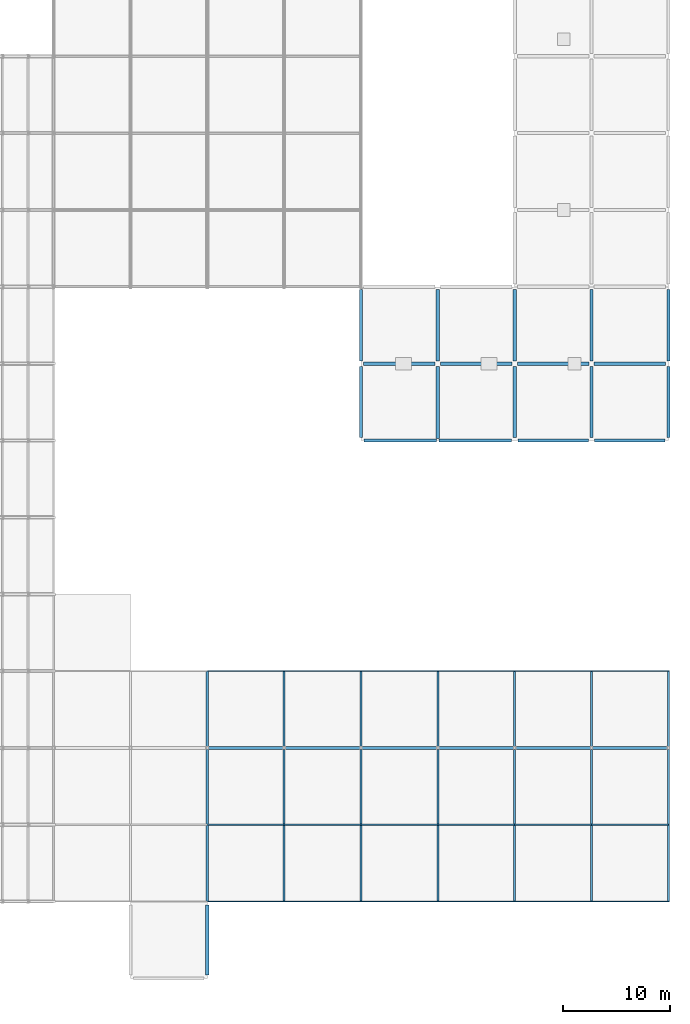
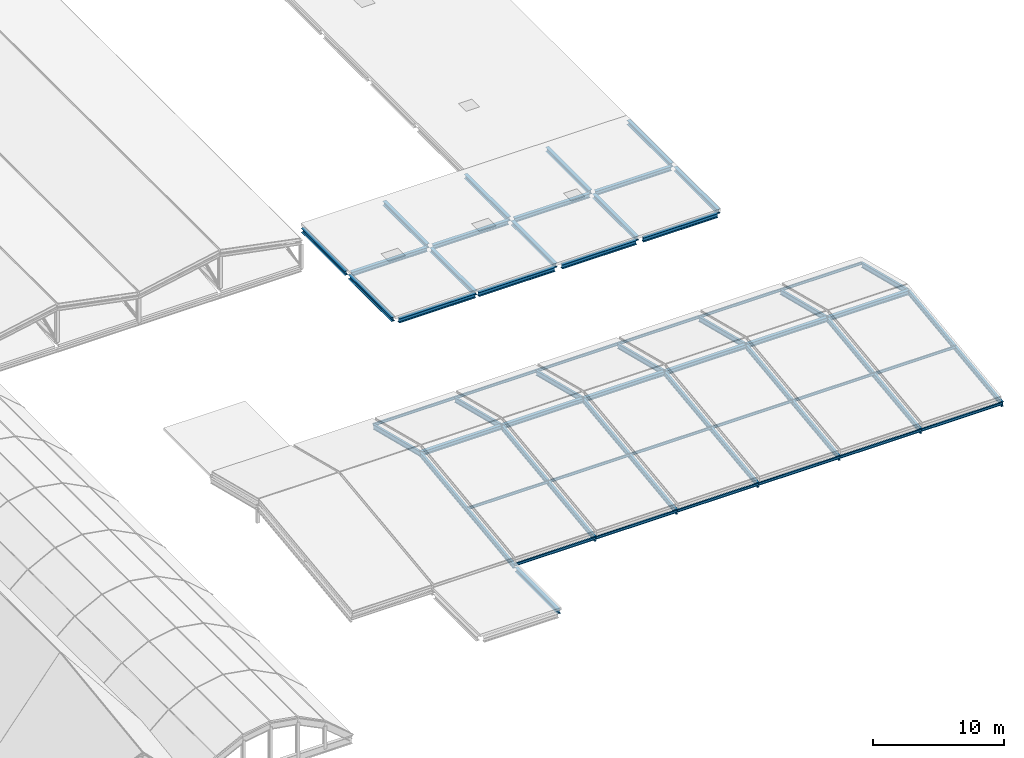
# One storey, part 37 of 60: 32 members, 25 beams.
"""IFC4 building model written with IfcOpenShell, lengths in metres."""

from ifc_helpers import new_model, si_unit, direction, frame, origin, origin_2d, place, context, subcontext, project, spatial, i_section, extrude, material, material_profile, profile_set, type_object, element, save


model = new_model("IFC4")

# Units and contexts
model_context = context("Model", 3, precision=1e-05, world=origin(), true_north=direction((0.0, 1.0)))
body_context = subcontext(model_context, "Body", "Model", "MODEL_VIEW")
ifc_project = project(units=[si_unit("LENGTHUNIT", "METRE"), si_unit("AREAUNIT", "SQUARE_METRE"), si_unit("VOLUMEUNIT", "CUBIC_METRE"), si_unit("PLANEANGLEUNIT", "RADIAN"), si_unit("MASSUNIT", "GRAM", prefix="KILO")], contexts=[model_context])

# Site, building, storey
site_placement = place(None, origin())
site = spatial("IfcSite", under=ifc_project, at=site_placement, CompositionType="ELEMENT")
building_placement = place(site_placement, origin())
building = spatial("IfcBuilding", under=site, at=building_placement, Name="Vesperath Aquatics Centre", CompositionType="ELEMENT")
storey_placement = place(building_placement, frame((0.0, 0.0, 27.60009765625)))
storey = spatial("IfcBuildingStorey", under=building, at=storey_placement, Name="RF", CompositionType="ELEMENT", Elevation=27.60009765625)

# Beams
ifc_material_1 = material(Name="Steel Q355C", Category="steel")
ifc_material_profile_1 = material_profile(ifc_material_1, i_section(OverallWidth=0.300048828125, OverallDepth=0.389892578125, WebThickness=0.010009765625, FlangeThickness=0.01611328125, FilletRadius=0.02197265625, at=origin_2d()), Name="HM 390x300x10x16")
ifc_profile_set_1 = profile_set([ifc_material_profile_1], Name="Steel Q355C")
beam_type_1 = type_object("IfcBeamType", Name="BM-RB01", PredefinedType="BEAM", material=ifc_profile_set_1)
beam_1_placement = place(storey_placement, frame((144.300048828125, 50.39990234375, -8.755126953125), z_axis=(1.0, 0.0, 0.0), x_axis=(0.0, 1.0, 0.0)))
element("IfcBeam", 1, at=beam_1_placement, inside=storey, type_object=beam_type_1, Name="Flat Roof Girder B11 RF H 21-22", PredefinedType="BEAM", context=body_context, shape_type="SweptSolid", body=[
    extrude(i_section(OverallWidth=0.300048828125, OverallDepth=0.389892578125, WebThickness=0.010009765625, FlangeThickness=0.01611328125, FilletRadius=0.02197265625, at=origin_2d()), origin(), (0.0, 0.0, 1.0), 6.77490234375),
])
beam_2_placement = place(storey_placement, frame((144.25, 57.60009765625, -8.755126953125), z_axis=(1.0, 0.0, 0.0), x_axis=(0.0, 1.0, 0.0)))
element("IfcBeam", 2, at=beam_2_placement, inside=storey, type_object=beam_type_1, Name="Flat Roof Girder B11 RF J 21-22", PredefinedType="BEAM", context=body_context, shape_type="SweptSolid", body=[
    extrude(i_section(OverallWidth=0.300048828125, OverallDepth=0.389892578125, WebThickness=0.010009765625, FlangeThickness=0.01611328125, FilletRadius=0.02197265625, at=origin_2d()), origin(), (0.0, 0.0, 1.0), 6.699951171875),
])
beam_3_placement = place(storey_placement, frame((151.324951171875, 50.39990234375, -8.755126953125), z_axis=(1.0, 0.0, 0.0), x_axis=(0.0, 1.0, 0.0)))
element("IfcBeam", 3, at=beam_3_placement, inside=storey, type_object=beam_type_1, Name="Flat Roof Girder B11 RF H 22-23", PredefinedType="BEAM", context=body_context, shape_type="SweptSolid", body=[
    extrude(i_section(OverallWidth=0.300048828125, OverallDepth=0.389892578125, WebThickness=0.010009765625, FlangeThickness=0.01611328125, FilletRadius=0.02197265625, at=origin_2d()), origin(), (0.0, 0.0, 1.0), 6.775146484375),
])
beam_4_placement = place(storey_placement, frame((151.449951171875, 57.60009765625, -8.755126953125), z_axis=(1.0, 0.0, 0.0), x_axis=(0.0, 1.0, 0.0)))
element("IfcBeam", 4, at=beam_4_placement, inside=storey, type_object=beam_type_1, Name="Flat Roof Girder B11 RF J 22-23", PredefinedType="BEAM", context=body_context, shape_type="SweptSolid", body=[
    extrude(i_section(OverallWidth=0.300048828125, OverallDepth=0.389892578125, WebThickness=0.010009765625, FlangeThickness=0.01611328125, FilletRadius=0.02197265625, at=origin_2d()), origin(), (0.0, 0.0, 1.0), 6.699951171875),
])
beam_5_placement = place(storey_placement, frame((158.699951171875, 50.39990234375, -8.755126953125), z_axis=(1.0, 0.0, 0.0), x_axis=(0.0, 1.0, 0.0)))
element("IfcBeam", 5, at=beam_5_placement, inside=storey, type_object=beam_type_1, Name="Flat Roof Girder B11 RF H 23-24", PredefinedType="BEAM", context=body_context, shape_type="SweptSolid", body=[
    extrude(i_section(OverallWidth=0.300048828125, OverallDepth=0.389892578125, WebThickness=0.010009765625, FlangeThickness=0.01611328125, FilletRadius=0.02197265625, at=origin_2d()), origin(), (0.0, 0.0, 1.0), 6.60009765625),
])
beam_6_placement = place(storey_placement, frame((158.64990234375, 57.60009765625, -8.755126953125), z_axis=(1.0, 0.0, 0.0), x_axis=(0.0, 1.0, 0.0)))
element("IfcBeam", 6, at=beam_6_placement, inside=storey, type_object=beam_type_1, Name="Flat Roof Girder B11 RF J 23-24", PredefinedType="BEAM", context=body_context, shape_type="SweptSolid", body=[
    extrude(i_section(OverallWidth=0.300048828125, OverallDepth=0.389892578125, WebThickness=0.010009765625, FlangeThickness=0.01611328125, FilletRadius=0.02197265625, at=origin_2d()), origin(), (0.0, 0.0, 1.0), 6.7001953125),
])
beam_7_placement = place(storey_placement, frame((165.89990234375, 50.39990234375, -8.755126953125), z_axis=(1.0, 0.0, 0.0), x_axis=(0.0, 1.0, 0.0)))
element("IfcBeam", 7, at=beam_7_placement, inside=storey, type_object=beam_type_1, Name="Flat Roof Girder B11 RF H 24-25", PredefinedType="BEAM", context=body_context, shape_type="SweptSolid", body=[
    extrude(i_section(OverallWidth=0.300048828125, OverallDepth=0.389892578125, WebThickness=0.010009765625, FlangeThickness=0.01611328125, FilletRadius=0.02197265625, at=origin_2d()), origin(), (0.0, 0.0, 1.0), 6.60009765625),
])
beam_8_placement = place(storey_placement, frame((165.85009765625, 57.60009765625, -8.755126953125), z_axis=(1.0, 0.0, 0.0), x_axis=(0.0, 1.0, 0.0)))
element("IfcBeam", 8, at=beam_8_placement, inside=storey, type_object=beam_type_1, Name="Flat Roof Girder B11 RF J 24-25", PredefinedType="BEAM", context=body_context, shape_type="SweptSolid", body=[
    extrude(i_section(OverallWidth=0.300048828125, OverallDepth=0.389892578125, WebThickness=0.010009765625, FlangeThickness=0.01611328125, FilletRadius=0.02197265625, at=origin_2d()), origin(), (0.0, 0.0, 1.0), 6.699951171875),
])
beam_9_placement = place(storey_placement, frame((144.0, 50.699951171875, -8.755126953125), z_axis=(0.0, 1.0, 0.0), x_axis=(-1.0, 0.0, 0.0)))
element("IfcBeam", 9, at=beam_9_placement, inside=storey, type_object=beam_type_1, Name="Flat Roof Girder B11 RF 21 H-J", PredefinedType="BEAM", context=body_context, shape_type="SweptSolid", body=[
    extrude(i_section(OverallWidth=0.300048828125, OverallDepth=0.389892578125, WebThickness=0.010009765625, FlangeThickness=0.01611328125, FilletRadius=0.02197265625, at=origin_2d()), origin(), (0.0, 0.0, 1.0), 6.650146484375),
])
beam_10_placement = place(storey_placement, frame((144.0, 57.85009765625, -8.755126953125), z_axis=(0.0, 1.0, 0.0), x_axis=(-1.0, 0.0, 0.0)))
element("IfcBeam", 10, at=beam_10_placement, inside=storey, type_object=beam_type_1, Name="Flat Roof Girder B11 RF 21 J-K", PredefinedType="BEAM", context=body_context, shape_type="SweptSolid", body=[
    extrude(i_section(OverallWidth=0.300048828125, OverallDepth=0.389892578125, WebThickness=0.010009765625, FlangeThickness=0.01611328125, FilletRadius=0.02197265625, at=origin_2d()), origin(), (0.0, 0.0, 1.0), 6.699951171875),
])
beam_11_placement = place(storey_placement, frame((151.199951171875, 50.574951171875, -8.755126953125), z_axis=(0.0, 1.0, 0.0), x_axis=(-1.0, 0.0, 0.0)))
element("IfcBeam", 11, at=beam_11_placement, inside=storey, type_object=beam_type_1, Name="Flat Roof Girder B11 RF 22 H-J", PredefinedType="BEAM", context=body_context, shape_type="SweptSolid", body=[
    extrude(i_section(OverallWidth=0.300048828125, OverallDepth=0.389892578125, WebThickness=0.010009765625, FlangeThickness=0.01611328125, FilletRadius=0.02197265625, at=origin_2d()), origin(), (0.0, 0.0, 1.0), 6.775146484375),
])
beam_12_placement = place(storey_placement, frame((151.199951171875, 57.85009765625, -8.755126953125), z_axis=(0.0, 1.0, 0.0), x_axis=(-1.0, 0.0, 0.0)))
element("IfcBeam", 12, at=beam_12_placement, inside=storey, type_object=beam_type_1, Name="Flat Roof Girder B11 RF 22 J-K", PredefinedType="BEAM", context=body_context, shape_type="SweptSolid", body=[
    extrude(i_section(OverallWidth=0.300048828125, OverallDepth=0.389892578125, WebThickness=0.010009765625, FlangeThickness=0.01611328125, FilletRadius=0.02197265625, at=origin_2d()), origin(), (0.0, 0.0, 1.0), 6.699951171875),
])
beam_13_placement = place(storey_placement, frame((158.39990234375, 50.699951171875, -8.755126953125), z_axis=(0.0, 1.0, 0.0), x_axis=(-1.0, 0.0, 0.0)))
element("IfcBeam", 13, at=beam_13_placement, inside=storey, type_object=beam_type_1, Name="Flat Roof Girder B11 RF 23 H-J", PredefinedType="BEAM", context=body_context, shape_type="SweptSolid", body=[
    extrude(i_section(OverallWidth=0.300048828125, OverallDepth=0.389892578125, WebThickness=0.010009765625, FlangeThickness=0.01611328125, FilletRadius=0.02197265625, at=origin_2d()), origin(), (0.0, 0.0, 1.0), 6.650146484375),
])
beam_14_placement = place(storey_placement, frame((158.39990234375, 57.85009765625, -8.755126953125), z_axis=(0.0, 1.0, 0.0), x_axis=(-1.0, 0.0, 0.0)))
element("IfcBeam", 14, at=beam_14_placement, inside=storey, type_object=beam_type_1, Name="Flat Roof Girder B11 RF 23 J-K", PredefinedType="BEAM", context=body_context, shape_type="SweptSolid", body=[
    extrude(i_section(OverallWidth=0.300048828125, OverallDepth=0.389892578125, WebThickness=0.010009765625, FlangeThickness=0.01611328125, FilletRadius=0.02197265625, at=origin_2d()), origin(), (0.0, 0.0, 1.0), 6.699951171875),
])
beam_15_placement = place(storey_placement, frame((165.60009765625, 50.699951171875, -8.755126953125), z_axis=(0.0, 1.0, 0.0), x_axis=(-1.0, 0.0, 0.0)))
element("IfcBeam", 15, at=beam_15_placement, inside=storey, type_object=beam_type_1, Name="Flat Roof Girder B11 RF 24 H-J", PredefinedType="BEAM", context=body_context, shape_type="SweptSolid", body=[
    extrude(i_section(OverallWidth=0.300048828125, OverallDepth=0.389892578125, WebThickness=0.010009765625, FlangeThickness=0.01611328125, FilletRadius=0.02197265625, at=origin_2d()), origin(), (0.0, 0.0, 1.0), 6.650146484375),
])
beam_16_placement = place(storey_placement, frame((165.60009765625, 57.85009765625, -8.755126953125), z_axis=(0.0, 1.0, 0.0), x_axis=(-1.0, 0.0, 0.0)))
element("IfcBeam", 16, at=beam_16_placement, inside=storey, type_object=beam_type_1, Name="Flat Roof Girder B11 RF 24 J-K", PredefinedType="BEAM", context=body_context, shape_type="SweptSolid", body=[
    extrude(i_section(OverallWidth=0.300048828125, OverallDepth=0.389892578125, WebThickness=0.010009765625, FlangeThickness=0.01611328125, FilletRadius=0.02197265625, at=origin_2d()), origin(), (0.0, 0.0, 1.0), 6.699951171875),
])
beam_17_placement = place(storey_placement, frame((172.800048828125, 50.699951171875, -8.755126953125), z_axis=(0.0, 1.0, 0.0), x_axis=(-1.0, 0.0, 0.0)))
element("IfcBeam", 17, at=beam_17_placement, inside=storey, type_object=beam_type_1, Name="Flat Roof Girder B11 RF 25 H-J", PredefinedType="BEAM", context=body_context, shape_type="SweptSolid", body=[
    extrude(i_section(OverallWidth=0.300048828125, OverallDepth=0.389892578125, WebThickness=0.010009765625, FlangeThickness=0.01611328125, FilletRadius=0.02197265625, at=origin_2d()), origin(), (0.0, 0.0, 1.0), 6.650146484375),
])
beam_18_placement = place(storey_placement, frame((172.800048828125, 57.85009765625, -8.755126953125), z_axis=(0.0, 1.0, 0.0), x_axis=(-1.0, 0.0, 0.0)))
element("IfcBeam", 18, at=beam_18_placement, inside=storey, type_object=beam_type_1, Name="Flat Roof Girder B11 RF 25 J-K", PredefinedType="BEAM", context=body_context, shape_type="SweptSolid", body=[
    extrude(i_section(OverallWidth=0.300048828125, OverallDepth=0.389892578125, WebThickness=0.010009765625, FlangeThickness=0.01611328125, FilletRadius=0.02197265625, at=origin_2d()), origin(), (0.0, 0.0, 1.0), 6.699951171875),
])
ifc_material_profile_2 = material_profile(ifc_material_1, i_section(OverallWidth=0.300048828125, OverallDepth=0.389892578125, WebThickness=0.010009765625, FlangeThickness=0.01611328125, FilletRadius=0.02197265625, at=origin_2d()), Name="HM 390x300x10x16")
ifc_profile_set_2 = profile_set([ifc_material_profile_2], Name="Steel Q355C")
beam_type_2 = type_object("IfcBeamType", Name="BM-RB09", PredefinedType="BEAM", material=ifc_profile_set_2)
beam_19_placement = place(storey_placement, frame((129.60009765625, 0.300048828125, -0.5), z_axis=(0.0, 1.0, 0.0), x_axis=(-1.0, 0.0, 0.0)))
element("IfcBeam", 19, at=beam_19_placement, inside=storey, type_object=beam_type_2, Name="Core C5 Headhouse Roof Beam B11-E", PredefinedType="BEAM", context=body_context, shape_type="SweptSolid", body=[
    extrude(i_section(OverallWidth=0.300048828125, OverallDepth=0.389892578125, WebThickness=0.010009765625, FlangeThickness=0.01611328125, FilletRadius=0.02197265625, at=origin_2d()), origin(), (0.0, 0.0, 1.0), 6.599853515625),
])
ifc_material_2 = material(Name="Steel Q355D", Category="steel")
ifc_material_profile_3 = material_profile(ifc_material_2, i_section(OverallWidth=0.300048828125, OverallDepth=0.389892578125, WebThickness=0.010009765625, FlangeThickness=0.01611328125, FilletRadius=0.02197265625, at=origin_2d()), Name="HM 390x300x10x16")
ifc_profile_set_3 = profile_set([ifc_material_profile_3], Name="Steel Q355D")
beam_type_3 = type_object("IfcBeamType", Name="BM-RB11", PredefinedType="BEAM", material=ifc_profile_set_3)
for number, where, z_axis, x_axis, name in (
    (20, (129.60009765625, 21.60009765625, 1.39990234375), (1.0, 0.0, 0.0), (0.0, 1.0, 0.0), "Boulevard Attic Ridge Girder RB11 19-20"),
    (21, (136.800048828125, 21.60009765625, 1.39990234375), (1.0, 0.0, 0.0), (0.0, 1.0, 0.0), "Boulevard Attic Ridge Girder RB11 20-21"),
    (22, (144.0, 21.60009765625, 1.39990234375), (1.0, 0.0, 0.0), (0.0, 1.0, 0.0), "Boulevard Attic Ridge Girder RB11 21-22"),
    (23, (151.199951171875, 21.60009765625, 1.39990234375), (1.0, 0.0, 0.0), (0.0, 1.0, 0.0), "Boulevard Attic Ridge Girder RB11 22-23"),
):
    element("IfcBeam", number, at=place(storey_placement, frame(where, z_axis=z_axis, x_axis=x_axis)), inside=storey, type_object=beam_type_3, Name=name, PredefinedType="BEAM", context=body_context, shape_type="SweptSolid", body=[
        extrude(i_section(OverallWidth=0.300048828125, OverallDepth=0.389892578125, WebThickness=0.010009765625, FlangeThickness=0.01611328125, FilletRadius=0.02197265625, at=origin_2d()), origin(), (0.0, 0.0, 1.0), 7.199951171875),
    ])
beam_20_placement = place(storey_placement, frame((158.39990234375, 21.60009765625, 1.39990234375), z_axis=(1.0, 0.0, 0.0), x_axis=(0.0, 1.0, 0.0)))
element("IfcBeam", 24, at=beam_20_placement, inside=storey, type_object=beam_type_3, Name="Boulevard Attic Ridge Girder RB11 23-24", PredefinedType="BEAM", context=body_context, shape_type="SweptSolid", body=[
    extrude(i_section(OverallWidth=0.300048828125, OverallDepth=0.389892578125, WebThickness=0.010009765625, FlangeThickness=0.01611328125, FilletRadius=0.02197265625, at=origin_2d()), origin(), (0.0, 0.0, 1.0), 7.2001953125),
])
beam_21_placement = place(storey_placement, frame((165.60009765625, 21.60009765625, 1.39990234375), z_axis=(1.0, 0.0, 0.0), x_axis=(0.0, 1.0, 0.0)))
element("IfcBeam", 25, at=beam_21_placement, inside=storey, type_object=beam_type_3, Name="Boulevard Attic Ridge Girder RB11 24-25", PredefinedType="BEAM", context=body_context, shape_type="SweptSolid", body=[
    extrude(i_section(OverallWidth=0.300048828125, OverallDepth=0.389892578125, WebThickness=0.010009765625, FlangeThickness=0.01611328125, FilletRadius=0.02197265625, at=origin_2d()), origin(), (0.0, 0.0, 1.0), 7.199951171875),
])

# Members
ifc_material_profile_4 = material_profile(ifc_material_2, i_section(OverallWidth=0.199951171875, OverallDepth=0.449951171875, WebThickness=0.009033203125, FlangeThickness=0.013916015625, FilletRadius=0.01611328125, at=origin_2d()), Name="HN 450x200x9x14")
ifc_profile_set_4 = profile_set([ifc_material_profile_4], Name="Steel Q355D")
member_type_1 = type_object("IfcMemberType", Name="MB-AR02", PredefinedType="RAFTER", material=ifc_profile_set_4)
member_1_placement = place(storey_placement, frame((129.60009765625, 7.199951171875, -0.420166015625), z_axis=(0.0, 0.992277617894, 0.124036805126), x_axis=(-1.0, 0.0, 0.0)))
element("IfcMember", 26, at=member_1_placement, inside=storey, type_object=member_type_1, Name="Boulevard Wing Roof Rafter AR02 South 19", PredefinedType="RAFTER", context=body_context, shape_type="SweptSolid", body=[
    extrude(i_section(OverallWidth=0.199951171875, OverallDepth=0.449951171875, WebThickness=0.009033203125, FlangeThickness=0.013916015625, FilletRadius=0.01611328125, at=origin_2d()), origin(), (0.0, 0.0, 1.0), 14.51220703125),
])
member_2_placement = place(storey_placement, frame((129.60009765625, 28.800048828125, -0.420166015625), z_axis=(0.0, -0.970140565046, 0.242543365301), x_axis=(1.0, 0.0, 0.0)))
element("IfcMember", 27, at=member_2_placement, inside=storey, type_object=member_type_1, Name="Boulevard Wing Roof Rafter AR02 North 19", PredefinedType="RAFTER", context=body_context, shape_type="SweptSolid", body=[
    extrude(i_section(OverallWidth=0.199951171875, OverallDepth=0.449951171875, WebThickness=0.009033203125, FlangeThickness=0.013916015625, FilletRadius=0.01611328125, at=origin_2d()), origin(), (0.0, 0.0, 1.0), 7.421630859375),
])
member_3_placement = place(storey_placement, frame((136.800048828125, 7.199951171875, -0.420166015625), z_axis=(0.0, 0.992277617894, 0.124036805126), x_axis=(-1.0, 0.0, 0.0)))
element("IfcMember", 28, at=member_3_placement, inside=storey, type_object=member_type_1, Name="Boulevard Wing Roof Rafter AR02 South 20", PredefinedType="RAFTER", context=body_context, shape_type="SweptSolid", body=[
    extrude(i_section(OverallWidth=0.199951171875, OverallDepth=0.449951171875, WebThickness=0.009033203125, FlangeThickness=0.013916015625, FilletRadius=0.01611328125, at=origin_2d()), origin(), (0.0, 0.0, 1.0), 14.51220703125),
])
member_4_placement = place(storey_placement, frame((136.800048828125, 28.800048828125, -0.420166015625), z_axis=(0.0, -0.970140565046, 0.242543365301), x_axis=(1.0, 0.0, 0.0)))
element("IfcMember", 29, at=member_4_placement, inside=storey, type_object=member_type_1, Name="Boulevard Wing Roof Rafter AR02 North 20", PredefinedType="RAFTER", context=body_context, shape_type="SweptSolid", body=[
    extrude(i_section(OverallWidth=0.199951171875, OverallDepth=0.449951171875, WebThickness=0.009033203125, FlangeThickness=0.013916015625, FilletRadius=0.01611328125, at=origin_2d()), origin(), (0.0, 0.0, 1.0), 7.421630859375),
])
member_5_placement = place(storey_placement, frame((144.0, 7.199951171875, -0.420166015625), z_axis=(0.0, 0.992277617894, 0.124036805126), x_axis=(-1.0, 0.0, 0.0)))
element("IfcMember", 30, at=member_5_placement, inside=storey, type_object=member_type_1, Name="Boulevard Wing Roof Rafter AR02 South 21", PredefinedType="RAFTER", context=body_context, shape_type="SweptSolid", body=[
    extrude(i_section(OverallWidth=0.199951171875, OverallDepth=0.449951171875, WebThickness=0.009033203125, FlangeThickness=0.013916015625, FilletRadius=0.01611328125, at=origin_2d()), origin(), (0.0, 0.0, 1.0), 14.51220703125),
])
member_6_placement = place(storey_placement, frame((144.0, 28.800048828125, -0.420166015625), z_axis=(0.0, -0.970140565046, 0.242543365301), x_axis=(1.0, 0.0, 0.0)))
element("IfcMember", 31, at=member_6_placement, inside=storey, type_object=member_type_1, Name="Boulevard Wing Roof Rafter AR02 North 21", PredefinedType="RAFTER", context=body_context, shape_type="SweptSolid", body=[
    extrude(i_section(OverallWidth=0.199951171875, OverallDepth=0.449951171875, WebThickness=0.009033203125, FlangeThickness=0.013916015625, FilletRadius=0.01611328125, at=origin_2d()), origin(), (0.0, 0.0, 1.0), 7.421630859375),
])
member_7_placement = place(storey_placement, frame((151.199951171875, 7.199951171875, -0.420166015625), z_axis=(0.0, 0.992277617894, 0.124036805126), x_axis=(-1.0, 0.0, 0.0)))
element("IfcMember", 32, at=member_7_placement, inside=storey, type_object=member_type_1, Name="Boulevard Wing Roof Rafter AR02 South 22", PredefinedType="RAFTER", context=body_context, shape_type="SweptSolid", body=[
    extrude(i_section(OverallWidth=0.199951171875, OverallDepth=0.449951171875, WebThickness=0.009033203125, FlangeThickness=0.013916015625, FilletRadius=0.01611328125, at=origin_2d()), origin(), (0.0, 0.0, 1.0), 14.51220703125),
])
member_8_placement = place(storey_placement, frame((151.199951171875, 28.800048828125, -0.420166015625), z_axis=(0.0, -0.970140565046, 0.242543365301), x_axis=(1.0, 0.0, 0.0)))
element("IfcMember", 33, at=member_8_placement, inside=storey, type_object=member_type_1, Name="Boulevard Wing Roof Rafter AR02 North 22", PredefinedType="RAFTER", context=body_context, shape_type="SweptSolid", body=[
    extrude(i_section(OverallWidth=0.199951171875, OverallDepth=0.449951171875, WebThickness=0.009033203125, FlangeThickness=0.013916015625, FilletRadius=0.01611328125, at=origin_2d()), origin(), (0.0, 0.0, 1.0), 7.421630859375),
])
member_9_placement = place(storey_placement, frame((158.39990234375, 7.199951171875, -0.420166015625), z_axis=(0.0, 0.992277617894, 0.124036805126), x_axis=(-1.0, 0.0, 0.0)))
element("IfcMember", 34, at=member_9_placement, inside=storey, type_object=member_type_1, Name="Boulevard Wing Roof Rafter AR02 South 23", PredefinedType="RAFTER", context=body_context, shape_type="SweptSolid", body=[
    extrude(i_section(OverallWidth=0.199951171875, OverallDepth=0.449951171875, WebThickness=0.009033203125, FlangeThickness=0.013916015625, FilletRadius=0.01611328125, at=origin_2d()), origin(), (0.0, 0.0, 1.0), 14.51220703125),
])
member_10_placement = place(storey_placement, frame((158.39990234375, 28.800048828125, -0.420166015625), z_axis=(0.0, -0.970140565046, 0.242543365301), x_axis=(1.0, 0.0, 0.0)))
element("IfcMember", 35, at=member_10_placement, inside=storey, type_object=member_type_1, Name="Boulevard Wing Roof Rafter AR02 North 23", PredefinedType="RAFTER", context=body_context, shape_type="SweptSolid", body=[
    extrude(i_section(OverallWidth=0.199951171875, OverallDepth=0.449951171875, WebThickness=0.009033203125, FlangeThickness=0.013916015625, FilletRadius=0.01611328125, at=origin_2d()), origin(), (0.0, 0.0, 1.0), 7.421630859375),
])
member_11_placement = place(storey_placement, frame((165.60009765625, 7.199951171875, -0.420166015625), z_axis=(0.0, 0.992277617894, 0.124036805126), x_axis=(-1.0, 0.0, 0.0)))
element("IfcMember", 36, at=member_11_placement, inside=storey, type_object=member_type_1, Name="Boulevard Wing Roof Rafter AR02 South 24", PredefinedType="RAFTER", context=body_context, shape_type="SweptSolid", body=[
    extrude(i_section(OverallWidth=0.199951171875, OverallDepth=0.449951171875, WebThickness=0.009033203125, FlangeThickness=0.013916015625, FilletRadius=0.01611328125, at=origin_2d()), origin(), (0.0, 0.0, 1.0), 14.51220703125),
])
member_12_placement = place(storey_placement, frame((165.60009765625, 28.800048828125, -0.420166015625), z_axis=(0.0, -0.970140565046, 0.242543365301), x_axis=(1.0, 0.0, 0.0)))
element("IfcMember", 37, at=member_12_placement, inside=storey, type_object=member_type_1, Name="Boulevard Wing Roof Rafter AR02 North 24", PredefinedType="RAFTER", context=body_context, shape_type="SweptSolid", body=[
    extrude(i_section(OverallWidth=0.199951171875, OverallDepth=0.449951171875, WebThickness=0.009033203125, FlangeThickness=0.013916015625, FilletRadius=0.01611328125, at=origin_2d()), origin(), (0.0, 0.0, 1.0), 7.421630859375),
])
member_13_placement = place(storey_placement, frame((172.800048828125, 7.199951171875, -0.420166015625), z_axis=(0.0, 0.992277617894, 0.124036805126), x_axis=(-1.0, 0.0, 0.0)))
element("IfcMember", 38, at=member_13_placement, inside=storey, type_object=member_type_1, Name="Boulevard Wing Roof Rafter AR02 South 25", PredefinedType="RAFTER", context=body_context, shape_type="SweptSolid", body=[
    extrude(i_section(OverallWidth=0.199951171875, OverallDepth=0.449951171875, WebThickness=0.009033203125, FlangeThickness=0.013916015625, FilletRadius=0.01611328125, at=origin_2d()), origin(), (0.0, 0.0, 1.0), 14.51220703125),
])
member_14_placement = place(storey_placement, frame((172.800048828125, 28.800048828125, -0.420166015625), z_axis=(0.0, -0.970140565046, 0.242543365301), x_axis=(1.0, 0.0, 0.0)))
element("IfcMember", 39, at=member_14_placement, inside=storey, type_object=member_type_1, Name="Boulevard Wing Roof Rafter AR02 North 25", PredefinedType="RAFTER", context=body_context, shape_type="SweptSolid", body=[
    extrude(i_section(OverallWidth=0.199951171875, OverallDepth=0.449951171875, WebThickness=0.009033203125, FlangeThickness=0.013916015625, FilletRadius=0.01611328125, at=origin_2d()), origin(), (0.0, 0.0, 1.0), 7.421630859375),
])
ifc_material_profile_5 = material_profile(ifc_material_1, i_section(OverallWidth=0.125, OverallDepth=0.25, WebThickness=0.006103515625, FlangeThickness=0.009033203125, FilletRadius=0.010009765625, at=origin_2d()), Name="HN 250x125x6x9")
ifc_profile_set_5 = profile_set([ifc_material_profile_5], Name="Steel Q355C")
member_type_2 = type_object("IfcMemberType", Name="MB-PR03", PredefinedType="PURLIN", material=ifc_profile_set_5)
for number, where, z_axis, x_axis, name in (
    (40, (129.60009765625, 7.199951171875, -0.2900390625), (1.0, 0.0, 0.0), (0.0, 1.0, 0.0), "Boulevard Wing Roof Purlin PR03 19-1"),
    (41, (129.60009765625, 14.39990234375, 0.60986328125), (1.0, 0.0, 0.0), (0.0, 1.0, 0.0), "Boulevard Wing Roof Purlin PR03 19-2"),
    (42, (129.60009765625, 28.800048828125, -0.2900390625), (1.0, 0.0, 0.0), (0.0, 1.0, 0.0), "Boulevard Wing Roof Purlin PR03 19-4"),
    (43, (136.800048828125, 7.199951171875, -0.2900390625), (1.0, 0.0, 0.0), (0.0, 1.0, 0.0), "Boulevard Wing Roof Purlin PR03 20-1"),
    (44, (136.800048828125, 14.39990234375, 0.60986328125), (1.0, 0.0, 0.0), (0.0, 1.0, 0.0), "Boulevard Wing Roof Purlin PR03 20-2"),
    (45, (136.800048828125, 28.800048828125, -0.2900390625), (1.0, 0.0, 0.0), (0.0, 1.0, 0.0), "Boulevard Wing Roof Purlin PR03 20-4"),
    (46, (144.0, 7.199951171875, -0.2900390625), (1.0, 0.0, 0.0), (0.0, 1.0, 0.0), "Boulevard Wing Roof Purlin PR03 21-1"),
    (47, (144.0, 14.39990234375, 0.60986328125), (1.0, 0.0, 0.0), (0.0, 1.0, 0.0), "Boulevard Wing Roof Purlin PR03 21-2"),
    (48, (144.0, 28.800048828125, -0.2900390625), (1.0, 0.0, 0.0), (0.0, 1.0, 0.0), "Boulevard Wing Roof Purlin PR03 21-4"),
    (49, (151.199951171875, 7.199951171875, -0.2900390625), (1.0, 0.0, 0.0), (0.0, 1.0, 0.0), "Boulevard Wing Roof Purlin PR03 22-1"),
    (50, (151.199951171875, 14.39990234375, 0.60986328125), (1.0, 0.0, 0.0), (0.0, 1.0, 0.0), "Boulevard Wing Roof Purlin PR03 22-2"),
    (51, (151.199951171875, 28.800048828125, -0.2900390625), (1.0, 0.0, 0.0), (0.0, 1.0, 0.0), "Boulevard Wing Roof Purlin PR03 22-4"),
):
    element("IfcMember", number, at=place(storey_placement, frame(where, z_axis=z_axis, x_axis=x_axis)), inside=storey, type_object=member_type_2, Name=name, PredefinedType="PURLIN", context=body_context, shape_type="SweptSolid", body=[
        extrude(i_section(OverallWidth=0.125, OverallDepth=0.25, WebThickness=0.006103515625, FlangeThickness=0.009033203125, FilletRadius=0.010009765625, at=origin_2d()), origin(), (0.0, 0.0, 1.0), 7.199951171875),
    ])
for number, where, z_axis, x_axis, name in (
    (52, (158.39990234375, 7.199951171875, -0.2900390625), (1.0, 0.0, 0.0), (0.0, 1.0, 0.0), "Boulevard Wing Roof Purlin PR03 23-1"),
    (53, (158.39990234375, 14.39990234375, 0.60986328125), (1.0, 0.0, 0.0), (0.0, 1.0, 0.0), "Boulevard Wing Roof Purlin PR03 23-2"),
    (54, (158.39990234375, 28.800048828125, -0.2900390625), (1.0, 0.0, 0.0), (0.0, 1.0, 0.0), "Boulevard Wing Roof Purlin PR03 23-4"),
):
    element("IfcMember", number, at=place(storey_placement, frame(where, z_axis=z_axis, x_axis=x_axis)), inside=storey, type_object=member_type_2, Name=name, PredefinedType="PURLIN", context=body_context, shape_type="SweptSolid", body=[
        extrude(i_section(OverallWidth=0.125, OverallDepth=0.25, WebThickness=0.006103515625, FlangeThickness=0.009033203125, FilletRadius=0.010009765625, at=origin_2d()), origin(), (0.0, 0.0, 1.0), 7.2001953125),
    ])
for number, where, z_axis, x_axis, name in (
    (55, (165.60009765625, 7.199951171875, -0.2900390625), (1.0, 0.0, 0.0), (0.0, 1.0, 0.0), "Boulevard Wing Roof Purlin PR03 24-1"),
    (56, (165.60009765625, 14.39990234375, 0.60986328125), (1.0, 0.0, 0.0), (0.0, 1.0, 0.0), "Boulevard Wing Roof Purlin PR03 24-2"),
    (57, (165.60009765625, 28.800048828125, -0.2900390625), (1.0, 0.0, 0.0), (0.0, 1.0, 0.0), "Boulevard Wing Roof Purlin PR03 24-4"),
):
    element("IfcMember", number, at=place(storey_placement, frame(where, z_axis=z_axis, x_axis=x_axis)), inside=storey, type_object=member_type_2, Name=name, PredefinedType="PURLIN", context=body_context, shape_type="SweptSolid", body=[
        extrude(i_section(OverallWidth=0.125, OverallDepth=0.25, WebThickness=0.006103515625, FlangeThickness=0.009033203125, FilletRadius=0.010009765625, at=origin_2d()), origin(), (0.0, 0.0, 1.0), 7.199951171875),
    ])

save(model, "model.ifc")
